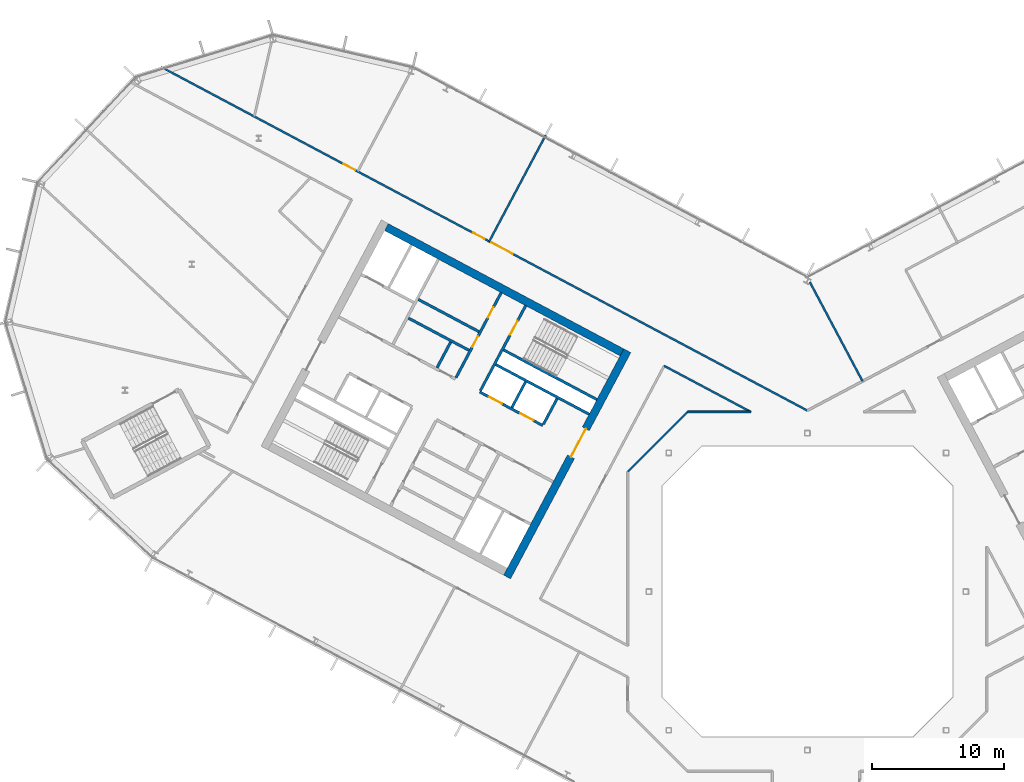
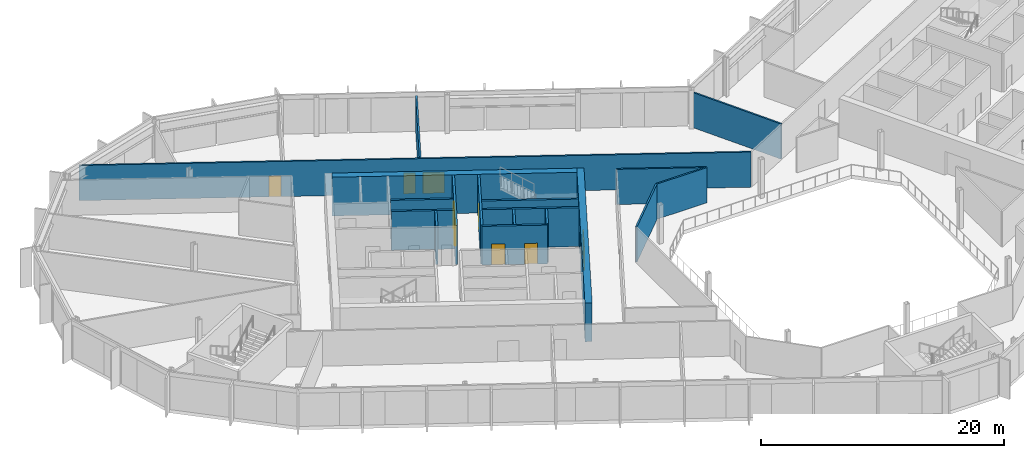
# One storey, part 15 of 27: 18 walls, 9 doors, 9 openings.
"""IFC4 building model written with IfcOpenShell, lengths in metres."""

from ifc_helpers import new_model, si_unit, direction, frame, frame_2d, origin, place, context, subcontext, project, spatial, rectangle, extrude, material, layer, layer_set, type_object, element, fill, save


model = new_model("IFC4")

# Units and contexts
model_context = context("Model", 3, precision=1e-05, world=origin(), true_north=direction((0.0, 1.0)))
body_context = subcontext(model_context, "Body", "Model", "MODEL_VIEW")
ifc_project = project(units=[si_unit("LENGTHUNIT", "METRE"), si_unit("AREAUNIT", "SQUARE_METRE"), si_unit("VOLUMEUNIT", "CUBIC_METRE"), si_unit("PLANEANGLEUNIT", "RADIAN"), si_unit("MASSUNIT", "GRAM", prefix="KILO")], contexts=[model_context])

# Site, building, storey
site_placement = place(None, origin())
site = spatial("IfcSite", under=ifc_project, at=site_placement, CompositionType="ELEMENT")
building_placement = place(site_placement, origin())
building = spatial("IfcBuilding", under=site, at=building_placement, Name="Cormorant Relay Tower", CompositionType="ELEMENT")
storey_placement = place(building_placement, frame((0.0, 0.0, 216.89990234375)))
storey = spatial("IfcBuildingStorey", under=building, at=storey_placement, Name="L47", CompositionType="ELEMENT", Elevation=216.89990234375)

# Walls
ifc_material_1 = material(Name="Concrete 40 MPa", Category="concrete")
ifc_layer_1 = layer(ifc_material_1, 0.199951171875)
ifc_layer_set_1 = layer_set([ifc_layer_1], Name="Core internal wall 200")
wall_type_1 = type_object("IfcWallType", Name="Core internal wall 200", PredefinedType="SOLIDWALL", material=ifc_layer_set_1)
for number, where, z_axis, x_axis, name in (
    (1, (-21.34375, 15.87890625, 0.0), (0.0, 0.0, 1.0), (-0.4694473164, -0.882960484464, 0.0), "L47 core A shaft and room wall"),
    (2, (-27.01220703125, 18.892822265625, 0.0), (0.0, 0.0, 1.0), (-0.4694473164, -0.882960484464, 0.0), "L47 core A shaft and room wall"),
):
    element("IfcWall", number, at=place(storey_placement, frame(where, z_axis=z_axis, x_axis=x_axis)), inside=storey, type_object=wall_type_1, Name=name, PredefinedType="SOLIDWALL", context=body_context, shape_type="SweptSolid", body=[
        extrude(rectangle(XDim=2.199951171875, YDim=0.199951171875, at=frame_2d((1.10009765625, 0.0))), origin(), (0.0, 0.0, 1.0), 3.900146484375),
    ])
wall_1_placement = place(storey_placement, frame((-24.8720703125, 19.680419921875, 0.0), z_axis=(0.0, 0.0, 1.0), x_axis=(-0.882953967957, 0.469459572775, 0.0)))
element("IfcWall", 3, at=wall_1_placement, inside=storey, type_object=wall_type_1, Name="L47 core A shaft and room wall", PredefinedType="SOLIDWALL", context=body_context, shape_type="SweptSolid", body=[
    extrude(rectangle(XDim=5.199951171875, YDim=0.199951171875, at=frame_2d((2.60009765625, 0.0))), origin(), (0.0, 0.0, 1.0), 3.900146484375),
])
ifc_material_2 = material(Name="Concrete 50 MPa", Category="concrete")
ifc_layer_2 = layer(ifc_material_2, 0.199951171875)
ifc_layer_set_2 = layer_set([ifc_layer_2], Name="Core shaft wall 200")
wall_type_2 = type_object("IfcWallType", Name="Core shaft wall 200", PredefinedType="SHEAR", material=ifc_layer_set_2)
wall_2_placement = place(storey_placement, frame((-18.959716796875, 14.611328125, 0.0), z_axis=(0.0, 0.0, 1.0), x_axis=(-0.4694473164, -0.882960484464, 0.0)))
element("IfcWall", 4, at=wall_2_placement, inside=storey, type_object=wall_type_2, Name="L47 core A shaft wall", PredefinedType="SHEAR", context=body_context, shape_type="SweptSolid", body=[
    extrude(rectangle(XDim=2.199951171875, YDim=0.199951171875, at=frame_2d((1.10009765625, 0.0))), origin(), (0.0, 0.0, 1.0), 3.900146484375),
])

# Wall, opening, door
wall_3_placement = place(storey_placement, frame((-21.333251953125, 21.6494140625, 0.0), z_axis=(0.0, 0.0, 1.0), x_axis=(-0.469494272526, -0.882935517501, 0.0)))
wall_3 = element("IfcWall", 5, at=wall_3_placement, inside=storey, type_object=wall_type_2, Name="L47 core A shaft wall", PredefinedType="SHEAR", context=body_context, shape_type="SweptSolid", body=[
    extrude(rectangle(XDim=7.2998046875, YDim=0.199951171875, at=frame_2d((3.64990234375, 0.0))), origin(), (0.0, 0.0, 1.0), 3.900146484375),
])
opening_1_placement = place(wall_3_placement, frame((1.300048828125, 0.0, 0.0)))
opening_1 = element("IfcOpeningElement", 6, at=opening_1_placement, cuts=wall_3, Name="Opening CDB-038", PredefinedType="OPENING", context=body_context, shape_type="SweptSolid", body=[
    extrude(rectangle(XDim=1.199951171875, YDim=2.10009765625, at=frame_2d((0.60009765625, 1.050048828125))), frame((0.0, 0.10986328125, 0.0), z_axis=(0.0, -1.0, 0.0), x_axis=(1.0, 0.0, 0.0)), (0.0, 0.0, 1.0), 0.219970703125),
])
ifc_material_3 = material(Name="Steel fire door", Category="steel")
door_type_1 = type_object("IfcDoorType", Name="Core stair door 1200x2100", OperationType="SINGLE_SWING_LEFT", PredefinedType="DOOR", material=ifc_material_3)
door_1_placement = place(opening_1_placement, origin())
door_1 = element("IfcDoor", 7, at=door_1_placement, inside=storey, type_object=door_type_1, Name="Core stair door 1200x2100", OperationType="SINGLE_SWING_RIGHT", OverallHeight=2.10009765625, OverallWidth=1.199951171875, PredefinedType="DOOR", context=body_context, shape_type="SweptSolid", body=[
    extrude(rectangle(XDim=1.199951171875, YDim=2.10009765625, at=frame_2d((0.60009765625, 1.050048828125))), frame((0.0, 0.02490234375, 0.0), z_axis=(0.0, -1.0, 0.0), x_axis=(1.0, 0.0, 0.0)), (0.0, 0.0, 1.0), 0.050048828125),
])
fill(opening_1, door_1)

# Wall, openings, doors
wall_4_placement = place(storey_placement, frame((-23.1875, 22.635498046875, 0.0), z_axis=(0.0, 0.0, 1.0), x_axis=(-0.469454336211, -0.882956752176, 0.0)))
wall_4 = element("IfcWall", 8, at=wall_4_placement, inside=storey, type_object=wall_type_2, Name="L47 core A shaft wall", PredefinedType="SHEAR", context=body_context, shape_type="SweptSolid", body=[
    extrude(rectangle(XDim=7.300048828125, YDim=0.199951171875, at=frame_2d((3.64990234375, 0.0))), origin(), (0.0, 0.0, 1.0), 3.900146484375),
])
opening_2_placement = place(wall_4_placement, frame((1.25, 0.0, 0.0)))
opening_2 = element("IfcOpeningElement", 9, at=opening_2_placement, cuts=wall_4, Name="Opening CDD-271", PredefinedType="OPENING", context=body_context, shape_type="SweptSolid", body=[
    extrude(rectangle(XDim=0.89990234375, YDim=2.10009765625, at=frame_2d((0.449951171875, 1.050048828125))), frame((0.0, 0.10986328125, 0.0), z_axis=(0.0, -1.0, 0.0), x_axis=(1.0, 0.0, 0.0)), (0.0, 0.0, 1.0), 0.219970703125),
])
opening_3_placement = place(wall_4_placement, frame((3.75, 0.0, 0.0)))
opening_3 = element("IfcOpeningElement", 10, at=opening_3_placement, cuts=wall_4, Name="Opening CDD-240", PredefinedType="OPENING", context=body_context, shape_type="SweptSolid", body=[
    extrude(rectangle(XDim=0.89990234375, YDim=2.10009765625, at=frame_2d((0.449951171875, 1.050048828125))), frame((0.0, 0.10986328125, 0.0), z_axis=(0.0, -1.0, 0.0), x_axis=(1.0, 0.0, 0.0)), (0.0, 0.0, 1.0), 0.219970703125),
])
ifc_material_4 = material(Name="Steel fire door", Category="steel")
door_type_2 = type_object("IfcDoorType", Name="Core room door 900x2100", OperationType="SINGLE_SWING_LEFT", PredefinedType="DOOR", material=ifc_material_4)
door_2_placement = place(opening_2_placement, origin())
door_2 = element("IfcDoor", 11, at=door_2_placement, inside=storey, type_object=door_type_2, Name="Core room door 900x2100", OperationType="SINGLE_SWING_LEFT", OverallHeight=2.10009765625, OverallWidth=0.89990234375, PredefinedType="DOOR", context=body_context, shape_type="SweptSolid", body=[
    extrude(rectangle(XDim=0.89990234375, YDim=2.10009765625, at=frame_2d((0.449951171875, 1.050048828125))), frame((0.0, 0.02490234375, 0.0), z_axis=(0.0, -1.0, 0.0), x_axis=(1.0, 0.0, 0.0)), (0.0, 0.0, 1.0), 0.050048828125),
])
fill(opening_2, door_2)
door_3_placement = place(opening_3_placement, frame((0.89990234375, 0.0, 0.0), z_axis=(0.0, 0.0, 1.0), x_axis=(-1.0, 0.0, 0.0)))
door_3 = element("IfcDoor", 12, at=door_3_placement, inside=storey, type_object=door_type_2, Name="Core room door 900x2100", OperationType="SINGLE_SWING_RIGHT", OverallHeight=2.10009765625, OverallWidth=0.89990234375, PredefinedType="DOOR", context=body_context, shape_type="SweptSolid", body=[
    extrude(rectangle(XDim=0.89990234375, YDim=2.10009765625, at=frame_2d((0.449951171875, 1.050048828125))), frame((0.0, 0.02490234375, 0.0), z_axis=(0.0, -1.0, 0.0), x_axis=(1.0, 0.0, 0.0)), (0.0, 0.0, 1.0), 0.050048828125),
])
fill(opening_3, door_3)

# Walls
wall_5_placement = place(storey_placement, frame((-15.94189453125, 14.53564453125, 0.0), z_axis=(0.0, 0.0, 1.0), x_axis=(-0.882946947542, 0.469472776449, 0.0)))
element("IfcWall", 13, at=wall_5_placement, inside=storey, type_object=wall_type_2, Name="L47 core A shaft wall", PredefinedType="SHEAR", context=body_context, shape_type="SweptSolid", body=[
    extrude(rectangle(XDim=8.000244140625, YDim=0.199951171875, at=frame_2d((4.0, 0.0))), origin(), (0.0, 0.0, 1.0), 3.900146484375),
])
wall_6_placement = place(storey_placement, frame((-16.52880859375, 13.43212890625, 0.0), z_axis=(0.0, 0.0, 1.0), x_axis=(-0.88295287151, 0.469461634952, 0.0)))
element("IfcWall", 14, at=wall_6_placement, inside=storey, type_object=wall_type_2, Name="L47 core A shaft wall", PredefinedType="SHEAR", context=body_context, shape_type="SweptSolid", body=[
    extrude(rectangle(XDim=7.999755859375, YDim=0.199951171875, at=frame_2d((4.0, 0.0))), origin(), (0.0, 0.0, 1.0), 3.900146484375),
])
wall_7_placement = place(storey_placement, frame((-25.623046875, 18.267578125, 0.0), z_axis=(0.0, 0.0, 1.0), x_axis=(-0.882953967957, 0.469459572775, 0.0)))
element("IfcWall", 15, at=wall_7_placement, inside=storey, type_object=wall_type_2, Name="L47 core A shaft wall", PredefinedType="SHEAR", context=body_context, shape_type="SweptSolid", body=[
    extrude(rectangle(XDim=5.199951171875, YDim=0.199951171875, at=frame_2d((2.60009765625, 0.0))), origin(), (0.0, 0.0, 1.0), 3.900146484375),
])

# Wall, openings, doors
wall_8_placement = place(storey_placement, frame((-20.03955078125, 12.58056640625, 0.0), z_axis=(0.0, 0.0, 1.0), x_axis=(-0.882942972946, 0.469480251476, 0.0)))
wall_8 = element("IfcWall", 16, at=wall_8_placement, inside=storey, type_object=wall_type_2, Name="L47 core A shaft wall", PredefinedType="SHEAR", context=body_context, shape_type="SweptSolid", body=[
    extrude(rectangle(XDim=5.39990234375, YDim=0.199951171875, at=frame_2d((2.699951171875, 0.0))), origin(), (0.0, 0.0, 1.0), 3.900146484375),
])
opening_4_placement = place(wall_8_placement, frame((0.800048828125, 0.0, 0.0)))
opening_4 = element("IfcOpeningElement", 17, at=opening_4_placement, cuts=wall_8, Name="Opening LD1-061", PredefinedType="OPENING", context=body_context, shape_type="SweptSolid", body=[
    extrude(rectangle(XDim=1.10009765625, YDim=2.10009765625, at=frame_2d((0.550048828125, 1.050048828125))), frame((0.0, 0.10986328125, 0.0), z_axis=(0.0, -1.0, 0.0), x_axis=(1.0, 0.0, 0.0)), (0.0, 0.0, 1.0), 0.219970703125),
])
opening_5_placement = place(wall_8_placement, frame((3.5, 0.0, 0.0)))
opening_5 = element("IfcOpeningElement", 18, at=opening_5_placement, cuts=wall_8, Name="Opening LD1-062", PredefinedType="OPENING", context=body_context, shape_type="SweptSolid", body=[
    extrude(rectangle(XDim=1.10009765625, YDim=2.10009765625, at=frame_2d((0.550048828125, 1.050048828125))), frame((0.0, 0.10986328125, 0.0), z_axis=(0.0, -1.0, 0.0), x_axis=(1.0, 0.0, 0.0)), (0.0, 0.0, 1.0), 0.219970703125),
])
ifc_material_5 = material(Name="Stainless steel 316", Category="steel")
door_type_3 = type_object("IfcDoorType", Name="Lift landing door 1100x2100", OperationType="DOUBLE_DOOR_SLIDING", PredefinedType="DOOR", material=ifc_material_5)
door_4_placement = place(opening_4_placement, origin())
door_4 = element("IfcDoor", 19, at=door_4_placement, inside=storey, type_object=door_type_3, Name="MR3 landing door", OperationType="DOUBLE_DOOR_SLIDING", OverallHeight=2.10009765625, OverallWidth=1.10009765625, PredefinedType="DOOR", context=body_context, shape_type="SweptSolid", body=[
    extrude(rectangle(XDim=1.10009765625, YDim=2.10009765625, at=frame_2d((0.550048828125, 1.050048828125))), frame((0.0, 0.02490234375, 0.0), z_axis=(0.0, -1.0, 0.0), x_axis=(1.0, 0.0, 0.0)), (0.0, 0.0, 1.0), 0.050048828125),
])
fill(opening_4, door_4)
door_5_placement = place(opening_5_placement, origin())
door_5 = element("IfcDoor", 20, at=door_5_placement, inside=storey, type_object=door_type_3, Name="MR4 landing door", OperationType="DOUBLE_DOOR_SLIDING", OverallHeight=2.10009765625, OverallWidth=1.10009765625, PredefinedType="DOOR", context=body_context, shape_type="SweptSolid", body=[
    extrude(rectangle(XDim=1.10009765625, YDim=2.10009765625, at=frame_2d((0.550048828125, 1.050048828125))), frame((0.0, 0.02490234375, 0.0), z_axis=(0.0, -1.0, 0.0), x_axis=(1.0, 0.0, 0.0)), (0.0, 0.0, 1.0), 0.050048828125),
])
fill(opening_5, door_5)

# Wall, opening, door
ifc_material_6 = material(Name="Concrete 50 MPa", Category="concrete")
ifc_layer_3 = layer(ifc_material_6, 0.60009765625)
ifc_layer_set_3 = layer_set([ifc_layer_3], Name="Core wall 600")
wall_type_3 = type_object("IfcWallType", Name="Core wall 600", PredefinedType="SHEAR", material=ifc_layer_set_3)
wall_9_placement = place(storey_placement, frame((-13.634765625, 18.235595703125, 0.0), z_axis=(0.0, 0.0, 1.0), x_axis=(-0.469478769487, -0.88294376095, 0.0)))
wall_9 = element("IfcWall", 21, at=wall_9_placement, inside=storey, type_object=wall_type_3, Name="L47 core A wall", PredefinedType="SHEAR", context=body_context, shape_type="SweptSolid", body=[
    extrude(rectangle(XDim=19.400146484375, YDim=0.60009765625, at=frame_2d((9.7001953125, 0.0))), origin(), (0.0, 0.0, 1.0), 3.900146484375),
])
opening_6_placement = place(wall_9_placement, frame((6.699951171875, 0.0, 0.0)))
opening_6 = element("IfcOpeningElement", 22, at=opening_6_placement, cuts=wall_9, Name="Opening CDA-040", PredefinedType="OPENING", context=body_context, shape_type="SweptSolid", body=[
    extrude(rectangle(XDim=2.39990234375, YDim=2.39990234375, at=frame_2d((1.199951171875, 1.199951171875))), frame((0.0, 0.31005859375, 0.0), z_axis=(0.0, -1.0, 0.0), x_axis=(1.0, 0.0, 0.0)), (0.0, 0.0, 1.0), 0.6201171875),
])
ifc_material_7 = material(Name="Steel fire door", Category="steel")
door_type_4 = type_object("IfcDoorType", Name="Core lobby door 2400x2400", OperationType="DOUBLE_DOOR_SINGLE_SWING", PredefinedType="DOOR", material=ifc_material_7)
door_6_placement = place(opening_6_placement, frame((2.39990234375, 0.0, 0.0), z_axis=(0.0, 0.0, 1.0), x_axis=(-1.0, 0.0, 0.0)))
door_6 = element("IfcDoor", 23, at=door_6_placement, inside=storey, type_object=door_type_4, Name="Core lobby door 2400x2400", OperationType="DOUBLE_DOOR_SINGLE_SWING", OverallHeight=2.39990234375, OverallWidth=2.39990234375, PredefinedType="DOOR", context=body_context, shape_type="SweptSolid", body=[
    extrude(rectangle(XDim=2.39990234375, YDim=2.39990234375, at=frame_2d((1.199951171875, 1.199951171875))), frame((0.0, 0.02490234375, 0.0), z_axis=(0.0, -1.0, 0.0), x_axis=(1.0, 0.0, 0.0)), (0.0, 0.0, 1.0), 0.050048828125),
])
fill(opening_6, door_6)

# Wall
wall_10_placement = place(storey_placement, frame((-14.04052734375, 18.111572265625, 0.0), z_axis=(0.0, 0.0, 1.0), x_axis=(-0.882947755831, 0.46947125628, 0.0)))
element("IfcWall", 24, at=wall_10_placement, inside=storey, type_object=wall_type_3, Name="L47 core A wall", PredefinedType="SHEAR", context=body_context, shape_type="SweptSolid", body=[
    extrude(rectangle(XDim=20.2001953125, YDim=0.60009765625, at=frame_2d((10.10009765625, 0.0))), origin(), (0.0, 0.0, 1.0), 3.900146484375),
])

# Wall, openings, doors
ifc_material_8 = material(Name="Gypsum board fire partition")
ifc_layer_4 = layer(ifc_material_8, 0.14990234375)
ifc_layer_set_4 = layer_set([ifc_layer_4], Name="Corridor partition 150 EI 60")
wall_type_4 = type_object("IfcWallType", Name="Corridor partition 150 EI 60", PredefinedType="PARTITIONING", material=ifc_layer_set_4)
wall_11_placement = place(storey_placement, frame((-48.947021484375, 39.72998046875, 0.0), z_axis=(0.0, 0.0, 1.0), x_axis=(0.882945454821, -0.469475583828, 0.0)))
wall_11 = element("IfcWall", 25, at=wall_11_placement, inside=storey, type_object=wall_type_4, Name="wall/L47/part/011", PredefinedType="PARTITIONING", context=body_context, shape_type="SweptSolid", body=[
    extrude(rectangle(XDim=55.43603515625, YDim=0.14990234375, at=frame_2d((27.718017578125, 0.0))), origin(), (0.0, 0.0, 1.0), 3.5400390625),
])
opening_7_placement = place(wall_11_placement, frame((28.35009765625, 0.0, 0.0)))
opening_7 = element("IfcOpeningElement", 26, at=opening_7_placement, cuts=wall_11, Name="Opening DD-027", PredefinedType="OPENING", context=body_context, shape_type="SweptSolid", body=[
    extrude(rectangle(XDim=1.800048828125, YDim=2.10009765625, at=frame_2d((0.89990234375, 1.050048828125))), frame((0.0, 0.0849609375, 0.0), z_axis=(0.0, -1.0, 0.0), x_axis=(1.0, 0.0, 0.0)), (0.0, 0.0, 1.0), 0.169921875),
])
opening_8_placement = place(wall_11_placement, frame((26.75, 0.0, 0.0)))
opening_8 = element("IfcOpeningElement", 27, at=opening_8_placement, cuts=wall_11, Name="Opening DS-148", PredefinedType="OPENING", context=body_context, shape_type="SweptSolid", body=[
    extrude(rectangle(XDim=1.0, YDim=2.10009765625, at=frame_2d((0.5, 1.050048828125))), frame((0.0, 0.0849609375, 0.0), z_axis=(0.0, -1.0, 0.0), x_axis=(1.0, 0.0, 0.0)), (0.0, 0.0, 1.0), 0.169921875),
])
opening_9_placement = place(wall_11_placement, frame((15.64990234375, 0.0, 0.0)))
opening_9 = element("IfcOpeningElement", 28, at=opening_9_placement, cuts=wall_11, Name="Opening DS-149", PredefinedType="OPENING", context=body_context, shape_type="SweptSolid", body=[
    extrude(rectangle(XDim=1.0, YDim=2.10009765625, at=frame_2d((0.5, 1.050048828125))), frame((0.0, 0.0849609375, 0.0), z_axis=(0.0, -1.0, 0.0), x_axis=(1.0, 0.0, 0.0)), (0.0, 0.0, 1.0), 0.169921875),
])
ifc_material_9 = material(Name="Timber door leaf", Category="wood")
door_type_5 = type_object("IfcDoorType", Name="Suite door 1000x2100", OperationType="SINGLE_SWING_LEFT", PredefinedType="DOOR", material=ifc_material_9)
door_7_placement = place(opening_8_placement, origin())
door_7 = element("IfcDoor", 29, at=door_7_placement, inside=storey, type_object=door_type_5, Name="door/L47/014", OperationType="SINGLE_SWING_RIGHT", OverallHeight=2.10009765625, OverallWidth=1.0, PredefinedType="DOOR", context=body_context, shape_type="SweptSolid", body=[
    extrude(rectangle(XDim=1.0, YDim=2.10009765625, at=frame_2d((0.5, 1.050048828125))), frame((0.0, 0.02490234375, 0.0), z_axis=(0.0, -1.0, 0.0), x_axis=(1.0, 0.0, 0.0)), (0.0, 0.0, 1.0), 0.050048828125),
])
fill(opening_8, door_7)
door_8_placement = place(opening_9_placement, origin())
door_8 = element("IfcDoor", 30, at=door_8_placement, inside=storey, type_object=door_type_5, Name="door/L47/015", OperationType="SINGLE_SWING_RIGHT", OverallHeight=2.10009765625, OverallWidth=1.0, PredefinedType="DOOR", context=body_context, shape_type="SweptSolid", body=[
    extrude(rectangle(XDim=1.0, YDim=2.10009765625, at=frame_2d((0.5, 1.050048828125))), frame((0.0, 0.02490234375, 0.0), z_axis=(0.0, -1.0, 0.0), x_axis=(1.0, 0.0, 0.0)), (0.0, 0.0, 1.0), 0.050048828125),
])
fill(opening_9, door_8)
ifc_material_10 = material(Name="Timber door leaf", Category="wood")
door_type_6 = type_object("IfcDoorType", Name="Suite double door 1800x2100", OperationType="DOUBLE_DOOR_SINGLE_SWING", PredefinedType="DOOR", material=ifc_material_10)
door_9_placement = place(opening_7_placement, origin())
door_9 = element("IfcDoor", 31, at=door_9_placement, inside=storey, type_object=door_type_6, Name="door/L47/013", OperationType="DOUBLE_DOOR_SINGLE_SWING", OverallHeight=2.10009765625, OverallWidth=1.800048828125, PredefinedType="DOOR", context=body_context, shape_type="SweptSolid", body=[
    extrude(rectangle(XDim=1.800048828125, YDim=2.10009765625, at=frame_2d((0.89990234375, 1.050048828125))), frame((0.0, 0.02490234375, 0.0), z_axis=(0.0, -1.0, 0.0), x_axis=(1.0, 0.0, 0.0)), (0.0, 0.0, 1.0), 0.050048828125),
])
fill(opening_7, door_9)

# Walls
wall_12_placement = place(storey_placement, frame((-10.844970703125, 17.092041015625, 0.0), z_axis=(0.0, 0.0, 1.0), x_axis=(0.882961838763, -0.469444769156, 0.0)))
element("IfcWall", 32, at=wall_12_placement, inside=storey, type_object=wall_type_4, Name="wall/L47/part/044", PredefinedType="PARTITIONING", context=body_context, shape_type="SweptSolid", body=[
    extrude(rectangle(XDim=7.4384765625, YDim=0.14990234375, at=frame_2d((3.71923828125, 0.0))), origin(), (0.0, 0.0, 1.0), 3.5400390625),
])
wall_13_placement = place(storey_placement, frame((-4.277099609375, 13.60009765625, 0.0), z_axis=(0.0, 0.0, 1.0), x_axis=(-1.0, 0.0, 0.0)))
element("IfcWall", 33, at=wall_13_placement, inside=storey, type_object=wall_type_4, Name="wall/L47/part/045", PredefinedType="PARTITIONING", context=body_context, shape_type="SweptSolid", body=[
    extrude(rectangle(XDim=4.7998046875, YDim=0.14990234375, at=frame_2d((2.39990234375, 0.0))), origin(), (0.0, 0.0, 1.0), 3.5400390625),
])
wall_14_placement = place(storey_placement, frame((-9.076904296875, 13.60009765625, 0.0), z_axis=(0.0, 0.0, 1.0), x_axis=(-0.707106781187, -0.707106781187, 0.0)))
element("IfcWall", 34, at=wall_14_placement, inside=storey, type_object=wall_type_4, Name="wall/L47/part/046", PredefinedType="PARTITIONING", context=body_context, shape_type="SweptSolid", body=[
    extrude(rectangle(XDim=6.396728515625, YDim=0.14990234375, at=frame_2d((3.1982421875, 0.0))), origin(), (0.0, 0.0, 1.0), 3.5400390625),
])
ifc_material_11 = material(Name="Gypsum board partition")
ifc_layer_5 = layer(ifc_material_11, 0.14990234375)
ifc_layer_set_5 = layer_set([ifc_layer_5], Name="Tenant partition 150")
wall_type_5 = type_object("IfcWallType", Name="Tenant partition 150", PredefinedType="PARTITIONING", material=ifc_layer_set_5)
wall_15_placement = place(storey_placement, frame((-19.822021484375, 34.550048828125, 0.0), z_axis=(0.0, 0.0, 1.0), x_axis=(-0.46943766298, -0.882965616871, 0.0)))
element("IfcWall", 35, at=wall_15_placement, inside=storey, type_object=wall_type_5, Name="wall/L47/part/021", PredefinedType="PARTITIONING", context=body_context, shape_type="SweptSolid", body=[
    extrude(rectangle(XDim=9.10009765625, YDim=0.14990234375, at=frame_2d((4.550048828125, 0.0))), origin(), (0.0, 0.0, 1.0), 3.5400390625),
])
wall_16_placement = place(storey_placement, frame((0.18310546875, 23.43994140625, 0.0), z_axis=(0.0, 0.0, 1.0), x_axis=(0.46943977652, -0.882964493183, 0.0)))
element("IfcWall", 36, at=wall_16_placement, inside=storey, type_object=wall_type_5, Name="wall/L47/part/022", PredefinedType="PARTITIONING", context=body_context, shape_type="SweptSolid", body=[
    extrude(rectangle(XDim=8.509765625, YDim=0.14990234375, at=frame_2d((4.2548828125, 0.0))), origin(), (0.0, 0.0, 1.0), 3.5400390625),
])

save(model, "model.ifc")
